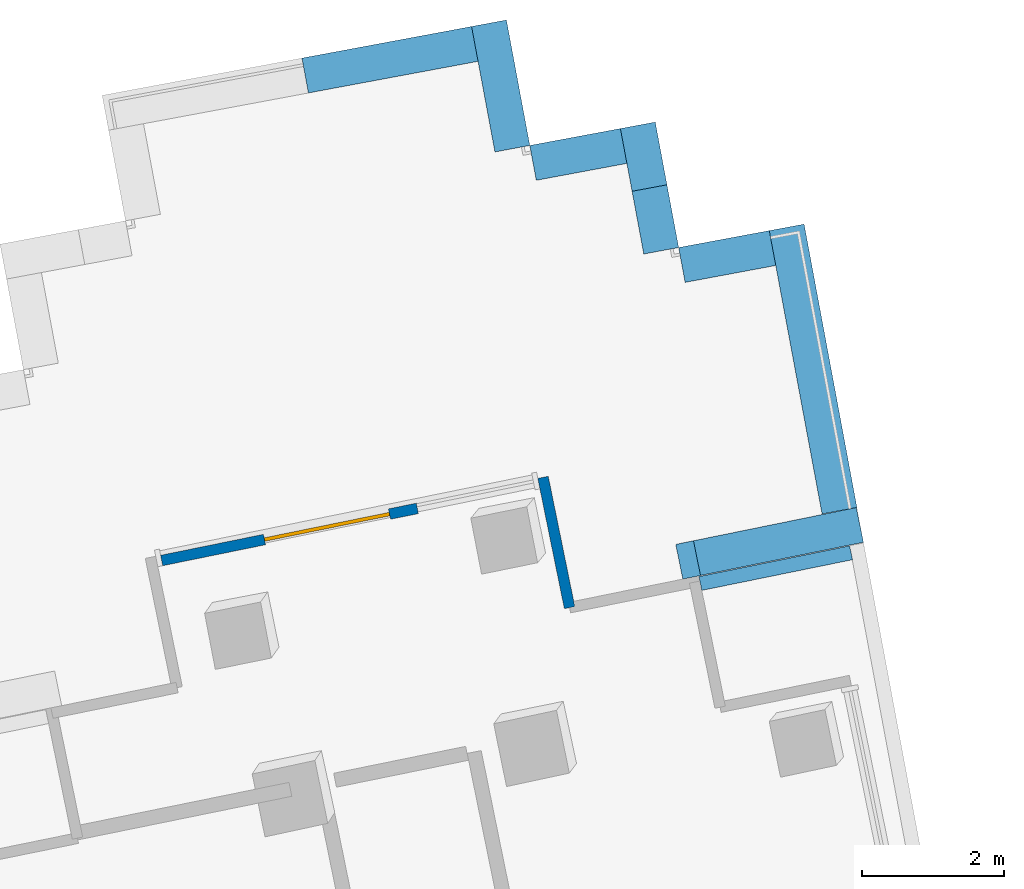
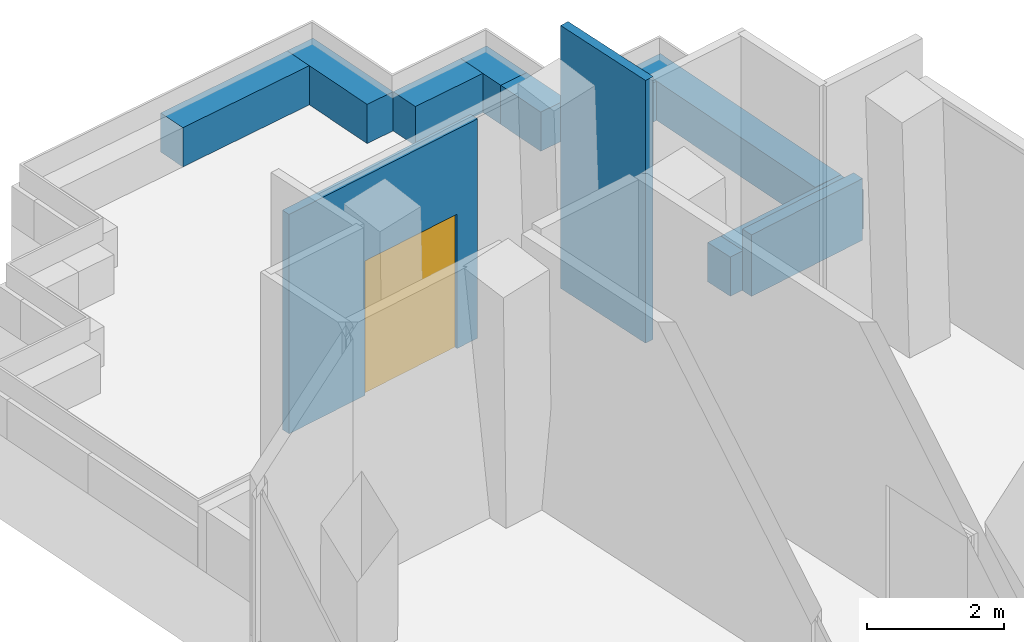
# One storey, part 14 of 20: 12 walls, 1 door, 1 opening.
"""IFC4 building model written with IfcOpenShell, lengths in metres."""

from ifc_helpers import new_model, si_unit, direction, frame, frame_2d, origin, place, context, subcontext, project, spatial, rectangle, extrude, material, layer, layer_set, type_object, element, fill, save


model = new_model("IFC4")

# Units and contexts
model_context = context("Model", 3, precision=1e-05, world=origin(), true_north=direction((0.0, 1.0)))
body_context = subcontext(model_context, "Body", "Model", "MODEL_VIEW")
ifc_project = project(units=[si_unit("LENGTHUNIT", "METRE"), si_unit("AREAUNIT", "SQUARE_METRE"), si_unit("VOLUMEUNIT", "CUBIC_METRE"), si_unit("PLANEANGLEUNIT", "RADIAN"), si_unit("MASSUNIT", "GRAM", prefix="KILO")], contexts=[model_context])

# Site, building, storey
site_placement = place(None, origin())
site = spatial("IfcSite", under=ifc_project, at=site_placement, CompositionType="ELEMENT")
building_placement = place(site_placement, origin())
building = spatial("IfcBuilding", under=site, at=building_placement, Name="Verdalira Terraces Hotel", CompositionType="ELEMENT")
storey_placement = place(building_placement, frame((0.0, 0.0, 81.0)))
storey = spatial("IfcBuildingStorey", under=building, at=storey_placement, Name="L18", CompositionType="ELEMENT", Elevation=81.0)

# Walls
ifc_material_1 = material(Name="Concrete C40", Category="concrete")
ifc_layer_1 = layer(ifc_material_1, 0.5)
ifc_layer_set_1 = layer_set([ifc_layer_1], Name="Balcony planter trough with tree")
wall_type_1 = type_object("IfcWallType", Name="Balcony planter trough with tree", PredefinedType="SOLIDWALL", material=ifc_layer_set_1)
wall_1_placement = place(storey_placement, frame((-2.449707, 34.403809, 0.0), z_axis=(0.0, 0.0, 1.0), x_axis=(0.979761914, 0.200166412, 0.0)))
element("IfcWall", 1, at=wall_1_placement, inside=storey, type_object=wall_type_1, Name="Balcony planter", PredefinedType="SOLIDWALL", context=body_context, shape_type="SweptSolid", body=[
    extrude(rectangle(XDim=0.254883, YDim=0.5, at=frame_2d((0.127441, 0.0))), origin(), (0.0, 0.0, 1.0), 0.699951),
])
wall_2_placement = place(storey_placement, frame((-2.199951, 34.454834, 0.0), z_axis=(0.0, 0.0, 1.0), x_axis=(0.979873531, 0.199619294, 0.0)))
element("IfcWall", 2, at=wall_2_placement, inside=storey, type_object=wall_type_1, Name="Balcony planter", PredefinedType="SOLIDWALL", context=body_context, shape_type="SweptSolid", body=[
    extrude(rectangle(XDim=2.344482, YDim=0.5, at=frame_2d((1.172363, 0.0))), origin(), (0.0, 0.0, 1.0), 0.699951),
])
wall_3_placement = place(storey_placement, frame((-0.190186, 35.123535, 0.0), z_axis=(0.0, 0.0, 1.0), x_axis=(-0.183254881, 0.983065435, 0.0)))
element("IfcWall", 3, at=wall_3_placement, inside=storey, type_object=wall_type_1, Name="Balcony planter", PredefinedType="SOLIDWALL", context=body_context, shape_type="SweptSolid", body=[
    extrude(rectangle(XDim=4.064697, YDim=0.5, at=frame_2d((2.032227, 0.0))), origin(), (0.0, 0.0, 1.0), 0.699951),
])
wall_4_placement = place(storey_placement, frame((-1.13501, 38.827881, 0.0), z_axis=(0.0, 0.0, 1.0), x_axis=(-0.983060872, -0.183279353, 0.0)))
element("IfcWall", 4, at=wall_4_placement, inside=storey, type_object=wall_type_1, Name="Balcony planter", PredefinedType="SOLIDWALL", context=body_context, shape_type="SweptSolid", body=[
    extrude(rectangle(XDim=1.300049, YDim=0.5, at=frame_2d((0.649902, 0.0))), origin(), (0.0, 0.0, 1.0), 0.699951),
])
wall_5_placement = place(storey_placement, frame((-2.70459, 38.789551, 0.0), z_axis=(0.0, 0.0, 1.0), x_axis=(-0.183371291, 0.983043727, 0.0)))
element("IfcWall", 5, at=wall_5_placement, inside=storey, type_object=wall_type_1, Name="Balcony planter", PredefinedType="SOLIDWALL", context=body_context, shape_type="SweptSolid", body=[
    extrude(rectangle(XDim=0.900146, YDim=0.5, at=frame_2d((0.450195, 0.0))), origin(), (0.0, 0.0, 1.0), 0.699951),
])
wall_6_placement = place(storey_placement, frame((-2.869629, 39.674316, 0.0), z_axis=(0.0, 0.0, 1.0), x_axis=(-0.183109134, 0.983092592, 0.0)))
element("IfcWall", 6, at=wall_6_placement, inside=storey, type_object=wall_type_1, Name="Balcony planter", PredefinedType="SOLIDWALL", context=body_context, shape_type="SweptSolid", body=[
    extrude(rectangle(XDim=0.899902, YDim=0.5, at=frame_2d((0.449951, 0.0))), origin(), (0.0, 0.0, 1.0), 0.699951),
])
wall_7_placement = place(storey_placement, frame((-3.234375, 40.267578, 0.0), z_axis=(0.0, 0.0, 1.0), x_axis=(-0.983060872, -0.183279353, 0.0)))
element("IfcWall", 7, at=wall_7_placement, inside=storey, type_object=wall_type_1, Name="Balcony planter", PredefinedType="SOLIDWALL", context=body_context, shape_type="SweptSolid", body=[
    extrude(rectangle(XDim=1.300049, YDim=0.5, at=frame_2d((0.649902, 0.0))), origin(), (0.0, 0.0, 1.0), 0.699951),
])
wall_8_placement = place(storey_placement, frame((-4.803955, 40.229248, 0.0), z_axis=(0.0, 0.0, 1.0), x_axis=(-0.183240217, 0.983068168, 0.0)))
element("IfcWall", 8, at=wall_8_placement, inside=storey, type_object=wall_type_1, Name="Balcony planter", PredefinedType="SOLIDWALL", context=body_context, shape_type="SweptSolid", body=[
    extrude(rectangle(XDim=1.800049, YDim=0.5, at=frame_2d((0.899902, 0.0))), origin(), (0.0, 0.0, 1.0), 0.699951),
])
wall_9_placement = place(storey_placement, frame((-5.33374, 41.707031, 0.0), z_axis=(0.0, 0.0, 1.0), x_axis=(-0.983077145, -0.183192047, 0.0)))
element("IfcWall", 9, at=wall_9_placement, inside=storey, type_object=wall_type_1, Name="Balcony planter", PredefinedType="SOLIDWALL", context=body_context, shape_type="SweptSolid", body=[
    extrude(rectangle(XDim=2.433594, YDim=0.5, at=frame_2d((1.216797, 0.0))), origin(), (0.0, 0.0, 1.0), 0.699951),
])
ifc_material_2 = material(Name="Terracotta cladding", Category="masonry")
ifc_layer_2 = layer(ifc_material_2, 0.199951171875)
ifc_layer_set_2 = layer_set([ifc_layer_2], Name="Terracotta clad parapet 200")
wall_type_2 = type_object("IfcWallType", Name="Terracotta clad parapet 200", PredefinedType="PARAPET", material=ifc_layer_set_2)
wall_10_placement = place(storey_placement, frame((-0.026855, 34.530273, 0.0), z_axis=(0.0, 0.0, 1.0), x_axis=(-0.97985534, -0.199708568, 0.0)))
element("IfcWall", 10, at=wall_10_placement, inside=storey, type_object=wall_type_2, Name="Terracotta clad parapet", PredefinedType="PARAPET", context=body_context, shape_type="SweptSolid", body=[
    extrude(rectangle(XDim=2.168701, YDim=0.199951, at=frame_2d((1.084473, 0.0))), origin(), (0.0, 0.0, 1.0), 1.100098),
])
ifc_material_3 = material(Name="Terracotta cladding", Category="masonry")
ifc_layer_3 = layer(ifc_material_3, 0.14990234375)
ifc_layer_set_3 = layer_set([ifc_layer_3], Name="Terracotta clad wall 150")
wall_type_3 = type_object("IfcWallType", Name="Terracotta clad wall 150", PredefinedType="SOLIDWALL", material=ifc_layer_set_3)
wall_11_placement = place(storey_placement, frame((-3.99707, 33.756836, 0.0), z_axis=(0.0, 0.0, 1.0), x_axis=(-0.199745711, 0.979847769, 0.0)))
element("IfcWall", 11, at=wall_11_placement, inside=storey, type_object=wall_type_3, Name="Terracotta cladding wall", PredefinedType="SOLIDWALL", context=body_context, shape_type="SweptSolid", body=[
    extrude(rectangle(XDim=1.875, YDim=0.149902, at=frame_2d((0.9375, 0.0))), origin(), (0.0, 0.0, 1.0), 4.689941),
])

# Wall, opening, door
ifc_material_4 = material(Name="Terracotta cladding", Category="masonry")
ifc_layer_4 = layer(ifc_material_4, 0.14990234375)
ifc_layer_set_4 = layer_set([ifc_layer_4], Name="Terracotta door pier 150")
wall_type_4 = type_object("IfcWallType", Name="Terracotta door pier 150", PredefinedType="SOLIDWALL", material=ifc_layer_set_4)
wall_12_placement = place(storey_placement, frame((-9.750732, 34.421143, 0.0), z_axis=(0.0, 0.0, 1.0), x_axis=(0.979859725, 0.199687053, 0.0)))
wall_12 = element("IfcWall", 12, at=wall_12_placement, inside=storey, type_object=wall_type_4, Name="Terracotta door pier", PredefinedType="SOLIDWALL", context=body_context, shape_type="SweptSolid", body=[
    extrude(rectangle(XDim=3.680176, YDim=0.149902, at=frame_2d((1.840088, 0.0))), origin(), (0.0, 0.0, 1.0), 3.915039),
])
opening_placement = place(wall_12_placement, frame((1.47998, 0.0, 0.0)))
opening = element("IfcOpeningElement", 13, at=opening_placement, cuts=wall_12, Name="Opening L18-G01", PredefinedType="OPENING", context=body_context, shape_type="SweptSolid", body=[
    extrude(rectangle(XDim=1.800049, YDim=2.399902, at=frame_2d((0.899902, 1.199951))), frame((0.0, 0.084961, 0.0), z_axis=(0.0, -1.0, 0.0), x_axis=(1.0, 0.0, 0.0)), (0.0, 0.0, 1.0), 0.169922),
])
ifc_material_5 = material(Name="Clear glass", Category="glass")
door_type = type_object("IfcDoorType", Name="Garden double door 1800x2400", OperationType="NOTDEFINED", PredefinedType="DOOR", material=ifc_material_5)
door_placement = place(opening_placement, origin())
door = element("IfcDoor", 14, at=door_placement, inside=storey, type_object=door_type, Name="Garden double door", OperationType="DOUBLE_DOOR_SINGLE_SWING", OverallHeight=2.39990234375, OverallWidth=1.800048828125, PredefinedType="DOOR", context=body_context, shape_type="SweptSolid", body=[
    extrude(rectangle(XDim=1.800049, YDim=2.399902, at=frame_2d((0.899902, 1.199951))), frame((0.0, 0.024902, 0.0), z_axis=(0.0, -1.0, 0.0), x_axis=(1.0, 0.0, 0.0)), (0.0, 0.0, 1.0), 0.050049),
])
fill(opening, door)

save(model, "model.ifc")
